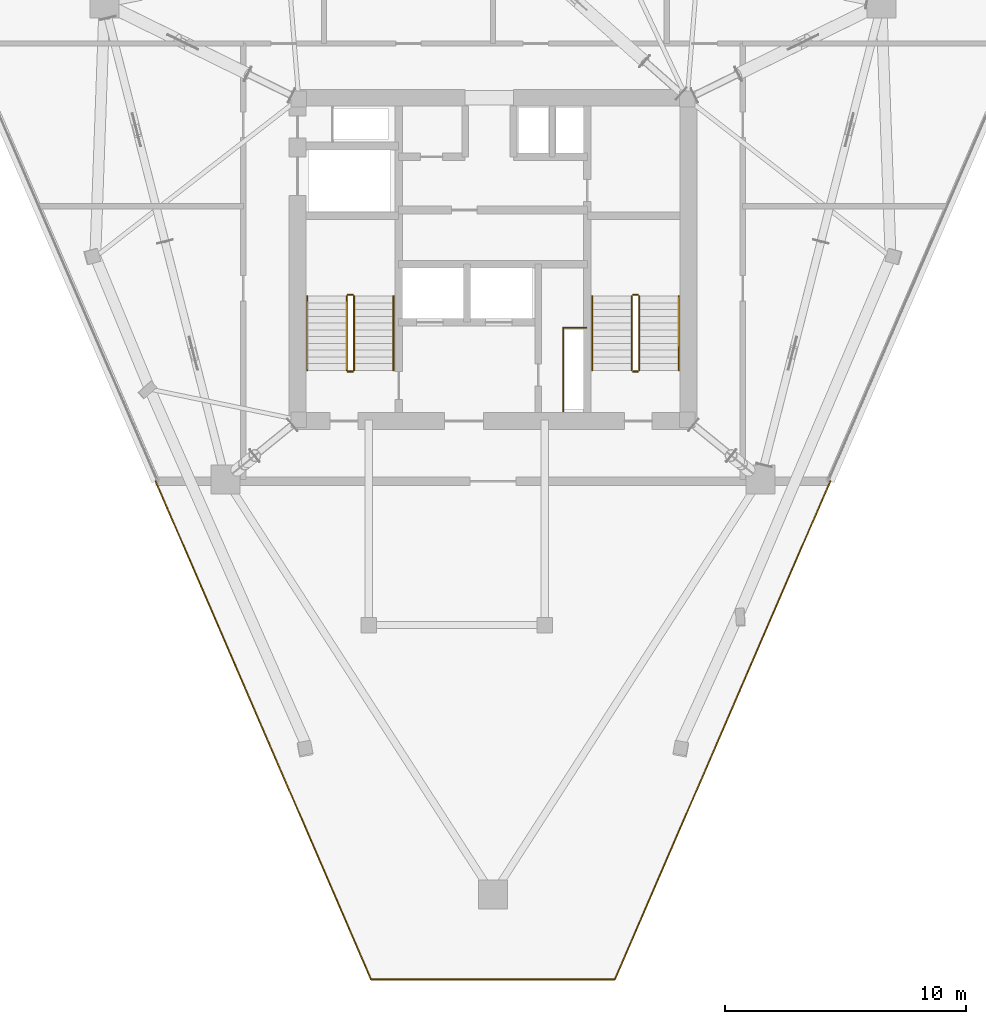
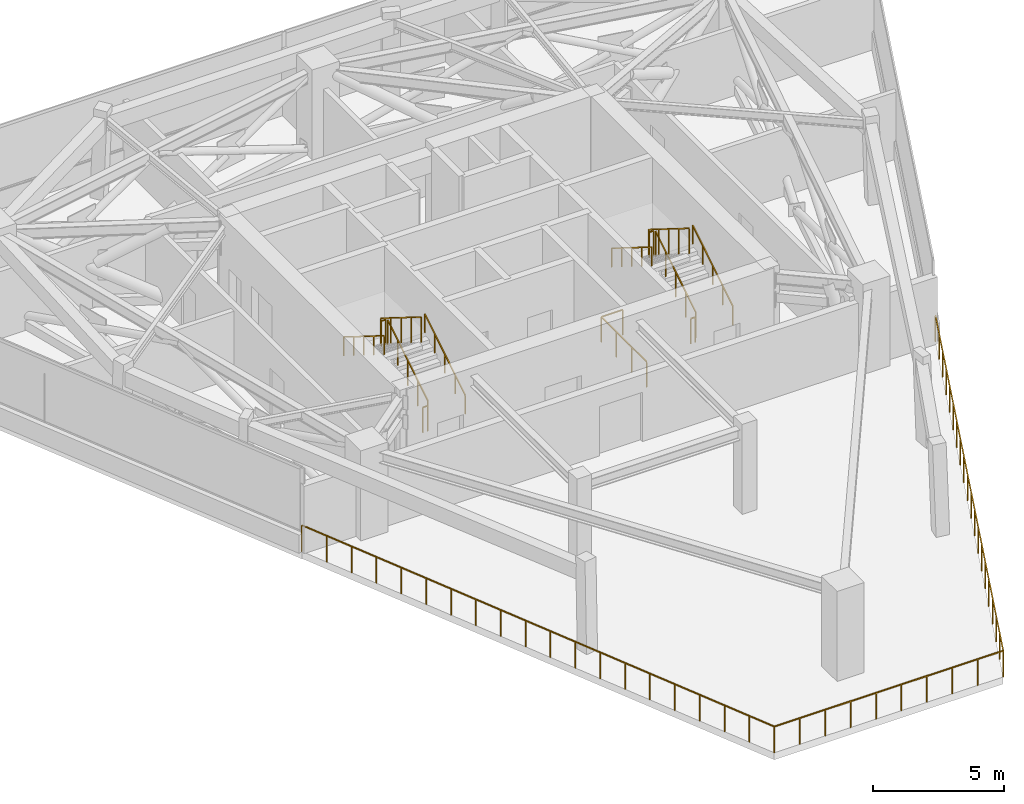
# One storey, part 9 of 10: 16 railings.
"""IFC4 building model written with IfcOpenShell, lengths in metres."""

import ifcopenshell
import ifcopenshell.guid

model = None  # the IFC model being written
_history = None  # IfcOwnerHistory: only IFC2X3 demands one
_inside = {}  # id of a spatial element -> (the spatial element, [elements in it])
_under = {}  # id of a project, library or spatial element -> (it, [spatial elements below it])
_declared = {}  # id of a project -> (the project, [libraries it declares])
_typed = {}  # id of a type object -> (the type object, [elements of that type])
_made_of = {}  # id of a material, layer set ... -> (it, [elements and type objects made of it])


def new_model(schema):
    """Start an empty IFC model of exactly this schema.

    Asked for "IFC4X3", IfcOpenShell would pick the latest addendum, in which some entities
    have other attributes; the version numbers below select the first issue.
    IFC2X3 requires an IfcOwnerHistory on every rooted entity: one is made here for all.
    """
    global model, _history
    if schema == "IFC4X3":
        model = ifcopenshell.file(schema_version=(4, 3, 0, 0))
    else:
        model = ifcopenshell.file(schema=schema)
    _inside.clear()
    _under.clear()
    _declared.clear()
    _typed.clear()
    _made_of.clear()
    _history = None
    if model.schema == "IFC2X3":
        org = make("IfcOrganization", Name="unknown")
        user = make(
            "IfcPersonAndOrganization",
            ThePerson=make("IfcPerson", FamilyName="unknown"),
            TheOrganization=org,
        )
        app = make(
            "IfcApplication",
            ApplicationDeveloper=org,
            Version="unknown",
            ApplicationFullName="unknown",
            ApplicationIdentifier="unknown",
        )
        _history = make(
            "IfcOwnerHistory",
            OwningUser=user,
            OwningApplication=app,
            ChangeAction="ADDED",
            CreationDate=0,
        )
    return model


def make(cls, **values):
    """One entity of the class cls with the attributes given. An attribute that is None is left unset."""
    return model.create_entity(
        cls, **{name: value for name, value in values.items() if value is not None}
    )


def rooted(cls, **values):
    """An entity with a GlobalId (a new one), such as an element, a storey or a relation."""
    return make(cls, GlobalId=ifcopenshell.guid.new(), OwnerHistory=_history, **values)


def si_unit(unit_type, name, prefix=None):
    """IfcSIUnit, for example si_unit("LENGTHUNIT", "METRE", prefix="MILLI")."""
    return make("IfcSIUnit", UnitType=unit_type, Prefix=prefix, Name=name)


def assignment(units):
    """IfcUnitAssignment: the units of a project."""
    return None if units is None else make("IfcUnitAssignment", Units=units)


def point(xyz):
    """IfcCartesianPoint."""
    return None if xyz is None else make("IfcCartesianPoint", Coordinates=xyz)


def direction(xyz):
    """IfcDirection."""
    return None if xyz is None else make("IfcDirection", DirectionRatios=xyz)


def frame(location, z_axis=None, x_axis=None):
    """IfcAxis2Placement3D, a coordinate frame: its origin and axes. An axis left out is left unset."""
    return make(
        "IfcAxis2Placement3D",
        Location=point(location),
        Axis=direction(z_axis),
        RefDirection=direction(x_axis),
    )


def frame_2d(location, x_axis=None):
    """IfcAxis2Placement2D, a coordinate frame in the plane: its origin and x axis."""
    return make(
        "IfcAxis2Placement2D", Location=point(location), RefDirection=direction(x_axis)
    )


def origin():
    """The frame at (0, 0, 0) with its axes left unset."""
    return frame((0.0, 0.0, 0.0))


def origin_2d():
    """The frame at (0, 0) in the plane with its x axis left unset."""
    return frame_2d((0.0, 0.0))


def place(relative_to, where):
    """IfcLocalPlacement: puts the frame where relative to a parent placement (None: the world)."""
    return make(
        "IfcLocalPlacement", PlacementRelTo=relative_to, RelativePlacement=where
    )


def context(
    kind, dimensions, precision=None, world=None, true_north=None, identifier=None
):
    """IfcGeometricRepresentationContext, for example the 3D "Model" context."""
    return make(
        "IfcGeometricRepresentationContext",
        ContextIdentifier=identifier,
        ContextType=kind,
        CoordinateSpaceDimension=dimensions,
        Precision=precision,
        WorldCoordinateSystem=world,
        TrueNorth=true_north,
    )


def subcontext(parent, identifier, kind, view, scale=None):
    """IfcGeometricRepresentationSubContext, for example "Body" below "Model"."""
    return make(
        "IfcGeometricRepresentationSubContext",
        ContextIdentifier=identifier,
        ContextType=kind,
        ParentContext=parent,
        TargetScale=scale,
        TargetView=view,
    )


def project(units=None, contexts=None):
    """IfcProject with its units and contexts."""
    return rooted(
        "IfcProject",
        Name="project",
        RepresentationContexts=contexts,
        UnitsInContext=assignment(units),
    )


def spatial(cls, under=None, at=None, **own):
    """A site, building, storey or space (cls), placed at a placement, below another one or the project."""
    s = rooted(cls, ObjectPlacement=at, **own)
    if under is not None:
        _under.setdefault(under.id(), (under, []))[1].append(s)
    return s


def profile(cls, at=None, kind="AREA", **sizes):
    """A parametric profile (cls). Its sizes go by their IFC names, for example OverallWidth=200.0."""
    return make(cls, ProfileType=kind, Position=at, **sizes)


def rectangle(**sizes):
    """IfcRectangleProfileDef."""
    return profile("IfcRectangleProfileDef", **sizes)


def extrude(swept, where, along, depth):
    """IfcExtrudedAreaSolid: the profile swept, set in the frame where, extruded along a direction by depth."""
    return make(
        "IfcExtrudedAreaSolid",
        SweptArea=swept,
        Position=where,
        ExtrudedDirection=direction(along),
        Depth=depth,
    )


def shape(context_of_items, identifier, shape_type, items):
    """IfcShapeRepresentation: the items that make up one representation, for example the "Body"."""
    return make(
        "IfcShapeRepresentation",
        ContextOfItems=context_of_items,
        RepresentationIdentifier=identifier,
        RepresentationType=shape_type,
        Items=items,
    )


def material(Name=None, Category=None):
    """IfcMaterial."""
    return make("IfcMaterial", Name=Name, Category=Category)


def made_of(thing, what):
    """Note that an element or type object is made of a material, layer set ...; save() writes the relation."""
    if what is not None:
        _made_of.setdefault(what.id(), (what, []))[1].append(thing)
    return thing


def type_object(cls, material=None, **own):
    """A type object (cls), such as IfcWallType, which elements share."""
    return made_of(rooted(cls, **own), material)


def element(
    cls,
    number,
    at=None,
    inside=None,
    cuts=None,
    type_object=None,
    material=None,
    context=None,
    identifier="Body",
    shape_type=None,
    held_by="IfcProductDefinitionShape",
    body=None,
    shapes=None,
    **own,
):
    """One element of the class cls, such as IfcWall. Its Tag is "e" and its number.

    at: its placement. inside: the storey or other place that contains it. cuts: it is an
    opening in that element (IfcRelVoidsElement). A single representation is given by context,
    identifier, shape_type and body (its items); several are given by shapes. held_by: the class
    of the entity that holds the representations. save() writes the other relations.
    """
    e = rooted(cls, Tag="e%d" % number, ObjectPlacement=at, **own)
    if body is not None:
        shapes = [shape(context, identifier, shape_type, body)]
    if shapes is not None:
        e.Representation = make(held_by, Representations=shapes)
    if inside is not None:
        _inside.setdefault(inside.id(), (inside, []))[1].append(e)
    if cuts is not None:
        rooted(
            "IfcRelVoidsElement", RelatingBuildingElement=cuts, RelatedOpeningElement=e
        )
    if type_object is not None:
        _typed.setdefault(type_object.id(), (type_object, []))[1].append(e)
    return made_of(e, material)


def aggregate(whole, parts):
    """IfcRelAggregates: a whole, such as a stair, and the parts it consists of."""
    return rooted("IfcRelAggregates", RelatingObject=whole, RelatedObjects=parts)


def save(model, path):
    """Write the relations noted so far, then the file.

    IfcRelAggregates (storeys below a building ...), IfcRelContainedInSpatialStructure (elements
    in a storey), IfcRelDefinesByType, IfcRelAssociatesMaterial and IfcRelDeclares: one each for
    every whole, place, type object, material and project.
    """
    for whole, parts in _under.values():
        aggregate(whole, parts)
    for where, things in _inside.values():
        rooted(
            "IfcRelContainedInSpatialStructure",
            RelatedElements=things,
            RelatingStructure=where,
        )
    for kind, things in _typed.values():
        rooted("IfcRelDefinesByType", RelatedObjects=things, RelatingType=kind)
    for what, things in _made_of.values():
        rooted("IfcRelAssociatesMaterial", RelatedObjects=things, RelatingMaterial=what)
    for by, libraries in _declared.values():
        rooted("IfcRelDeclares", RelatingContext=by, RelatedDefinitions=libraries)
    model.write(path)


model = new_model("IFC4")

# Units and contexts
model_context = context("Model", 3, precision=1e-05, world=origin(), true_north=direction((0.0, 1.0)))
body_context = subcontext(model_context, "Body", "Model", "MODEL_VIEW")
ifc_project = project(units=[si_unit("LENGTHUNIT", "METRE"), si_unit("AREAUNIT", "SQUARE_METRE"), si_unit("VOLUMEUNIT", "CUBIC_METRE"), si_unit("PLANEANGLEUNIT", "RADIAN"), si_unit("MASSUNIT", "GRAM", prefix="KILO")], contexts=[model_context])

# Site, building, storey
site_placement = place(None, origin())
site = spatial("IfcSite", under=ifc_project, at=site_placement, CompositionType="ELEMENT")
building_placement = place(site_placement, origin())
building = spatial("IfcBuilding", under=site, at=building_placement, Name="Talyreon Biosciences Tower", CompositionType="ELEMENT")
storey_placement = place(building_placement, frame((0.0, 0.0, 275.39990234375)))
storey = spatial("IfcBuildingStorey", under=building, at=storey_placement, Name="L73", CompositionType="ELEMENT", Elevation=275.39990234375)

# Railings
ifc_material_1 = material(Name="Stainless-steel and laminated glass balustrade", Category="steel")
railing_type_1 = type_object("IfcRailingType", Name="SkyGardenGlassBalustrade_1250", PredefinedType="GUARDRAIL", material=ifc_material_1)
railing_1_placement = place(storey_placement, frame((79.98095703125, 58.800048828125, 0.0)))
element("IfcRailing", 1, at=railing_1_placement, inside=storey, type_object=railing_type_1, Name="L73 Terrace Edge Balustrade 01", PredefinedType="GUARDRAIL", context=body_context, shape_type="SweptSolid", body=[
    extrude(rectangle(XDim=0.048095703125, YDim=0.048095703125, at=origin_2d()), frame((0.0, 0.0, 1.22607421875), z_axis=(-0.396882977166, -0.917869218591, 0.0), x_axis=(0.917869218591, -0.396882977166, 0.0)), (0.0, 0.0, 1.0), 22.493408203125),
    extrude(rectangle(XDim=0.0419921875, YDim=0.0419921875, at=origin_2d()), origin(), (0.0, 0.0, 1.0), 1.201904296875),
    extrude(rectangle(XDim=0.0419921875, YDim=0.0419921875, at=origin_2d()), frame((-0.469970703125, -1.086669921875, 0.0)), (0.0, 0.0, 1.0), 1.201904296875),
    extrude(rectangle(XDim=0.0419921875, YDim=0.0419921875, at=origin_2d()), frame((-0.939697265625, -2.17333984375, 0.0)), (0.0, 0.0, 1.0), 1.201904296875),
    extrude(rectangle(XDim=0.0419921875, YDim=0.0419921875, at=origin_2d()), frame((-1.40966796875, -3.260009765625, 0.0)), (0.0, 0.0, 1.0), 1.201904296875),
    extrude(rectangle(XDim=0.0419921875, YDim=0.0419921875, at=origin_2d()), frame((-1.87939453125, -4.346435546875, 0.0)), (0.0, 0.0, 1.0), 1.201904296875),
    extrude(rectangle(XDim=0.0419921875, YDim=0.0419921875, at=origin_2d()), frame((-2.349365234375, -5.43310546875, 0.0)), (0.0, 0.0, 1.0), 1.201904296875),
    extrude(rectangle(XDim=0.0419921875, YDim=0.0419921875, at=origin_2d()), frame((-2.819091796875, -6.519775390625, 0.0)), (0.0, 0.0, 1.0), 1.201904296875),
    extrude(rectangle(XDim=0.0419921875, YDim=0.0419921875, at=origin_2d()), frame((-3.2890625, -7.6064453125, 0.0)), (0.0, 0.0, 1.0), 1.201904296875),
    extrude(rectangle(XDim=0.0419921875, YDim=0.0419921875, at=origin_2d()), frame((-3.7587890625, -8.693115234375, 0.0)), (0.0, 0.0, 1.0), 1.201904296875),
    extrude(rectangle(XDim=0.0419921875, YDim=0.0419921875, at=origin_2d()), frame((-4.228759765625, -9.77978515625, 0.0)), (0.0, 0.0, 1.0), 1.201904296875),
    extrude(rectangle(XDim=0.0419921875, YDim=0.0419921875, at=origin_2d()), frame((-4.698486328125, -10.8662109375, 0.0)), (0.0, 0.0, 1.0), 1.201904296875),
    extrude(rectangle(XDim=0.0419921875, YDim=0.0419921875, at=origin_2d()), frame((-5.16845703125, -11.952880859375, 0.0)), (0.0, 0.0, 1.0), 1.201904296875),
    extrude(rectangle(XDim=0.0419921875, YDim=0.0419921875, at=origin_2d()), frame((-5.63818359375, -13.03955078125, 0.0)), (0.0, 0.0, 1.0), 1.201904296875),
    extrude(rectangle(XDim=0.0419921875, YDim=0.0419921875, at=origin_2d()), frame((-6.108154296875, -14.126220703125, 0.0)), (0.0, 0.0, 1.0), 1.201904296875),
    extrude(rectangle(XDim=0.0419921875, YDim=0.0419921875, at=origin_2d()), frame((-6.577880859375, -15.212890625, 0.0)), (0.0, 0.0, 1.0), 1.201904296875),
    extrude(rectangle(XDim=0.0419921875, YDim=0.0419921875, at=origin_2d()), frame((-7.0478515625, -16.299560546875, 0.0)), (0.0, 0.0, 1.0), 1.201904296875),
    extrude(rectangle(XDim=0.0419921875, YDim=0.0419921875, at=origin_2d()), frame((-7.517578125, -17.385986328125, 0.0)), (0.0, 0.0, 1.0), 1.201904296875),
    extrude(rectangle(XDim=0.0419921875, YDim=0.0419921875, at=origin_2d()), frame((-7.987548828125, -18.47265625, 0.0)), (0.0, 0.0, 1.0), 1.201904296875),
    extrude(rectangle(XDim=0.0419921875, YDim=0.0419921875, at=origin_2d()), frame((-8.457275390625, -19.559326171875, 0.0)), (0.0, 0.0, 1.0), 1.201904296875),
    extrude(rectangle(XDim=0.0419921875, YDim=0.0419921875, at=origin_2d()), frame((-8.92724609375, -20.64599609375, 0.0)), (0.0, 0.0, 1.0), 1.201904296875),
])
railing_2_placement = place(storey_placement, frame((71.0537109375, 38.154052734375, 0.0)))
element("IfcRailing", 2, at=railing_2_placement, inside=storey, type_object=railing_type_1, Name="L73 Terrace Edge Balustrade 02", PredefinedType="GUARDRAIL", context=body_context, shape_type="SweptSolid", body=[
    extrude(rectangle(XDim=0.048095703125, YDim=0.048095703125, at=origin_2d()), frame((0.0, 0.0, 1.22607421875), z_axis=(-1.0, 0.0, 0.0), x_axis=(0.0, -1.0, 0.0)), (0.0, 0.0, 1.0), 10.107421875),
    extrude(rectangle(XDim=0.0419921875, YDim=0.0419921875, at=origin_2d()), origin(), (0.0, 0.0, 1.0), 1.201904296875),
    extrude(rectangle(XDim=0.0419921875, YDim=0.0419921875, at=origin_2d()), frame((-1.123046875, 0.0, 0.0)), (0.0, 0.0, 1.0), 1.201904296875),
    extrude(rectangle(XDim=0.0419921875, YDim=0.0419921875, at=origin_2d()), frame((-2.24609375, 0.0, 0.0)), (0.0, 0.0, 1.0), 1.201904296875),
    extrude(rectangle(XDim=0.0419921875, YDim=0.0419921875, at=origin_2d()), frame((-3.369140625, 0.0, 0.0)), (0.0, 0.0, 1.0), 1.201904296875),
    extrude(rectangle(XDim=0.0419921875, YDim=0.0419921875, at=origin_2d()), frame((-4.4921875, 0.0, 0.0)), (0.0, 0.0, 1.0), 1.201904296875),
    extrude(rectangle(XDim=0.0419921875, YDim=0.0419921875, at=origin_2d()), frame((-5.615234375, 0.0, 0.0)), (0.0, 0.0, 1.0), 1.201904296875),
    extrude(rectangle(XDim=0.0419921875, YDim=0.0419921875, at=origin_2d()), frame((-6.73828125, 0.0, 0.0)), (0.0, 0.0, 1.0), 1.201904296875),
    extrude(rectangle(XDim=0.0419921875, YDim=0.0419921875, at=origin_2d()), frame((-7.861328125, 0.0, 0.0)), (0.0, 0.0, 1.0), 1.201904296875),
    extrude(rectangle(XDim=0.0419921875, YDim=0.0419921875, at=origin_2d()), frame((-8.984375, 0.0, 0.0)), (0.0, 0.0, 1.0), 1.201904296875),
    extrude(rectangle(XDim=0.0419921875, YDim=0.0419921875, at=origin_2d()), frame((-10.107421875, 0.0, 0.0)), (0.0, 0.0, 1.0), 1.201904296875),
])
railing_3_placement = place(storey_placement, frame((60.9462890625, 38.154052734375, 0.0)))
element("IfcRailing", 3, at=railing_3_placement, inside=storey, type_object=railing_type_1, Name="L73 Terrace Edge Balustrade 03", PredefinedType="GUARDRAIL", context=body_context, shape_type="SweptSolid", body=[
    extrude(rectangle(XDim=0.048095703125, YDim=0.048095703125, at=origin_2d()), frame((0.0, 0.0, 1.22607421875), z_axis=(-0.396882977166, 0.917869218591, 0.0), x_axis=(-0.917869218591, -0.396882977166, 0.0)), (0.0, 0.0, 1.0), 22.493408203125),
    extrude(rectangle(XDim=0.0419921875, YDim=0.0419921875, at=origin_2d()), origin(), (0.0, 0.0, 1.0), 1.201904296875),
    extrude(rectangle(XDim=0.0419921875, YDim=0.0419921875, at=origin_2d()), frame((-0.469970703125, 1.086669921875, 0.0)), (0.0, 0.0, 1.0), 1.201904296875),
    extrude(rectangle(XDim=0.0419921875, YDim=0.0419921875, at=origin_2d()), frame((-0.939697265625, 2.17333984375, 0.0)), (0.0, 0.0, 1.0), 1.201904296875),
    extrude(rectangle(XDim=0.0419921875, YDim=0.0419921875, at=origin_2d()), frame((-1.40966796875, 3.260009765625, 0.0)), (0.0, 0.0, 1.0), 1.201904296875),
    extrude(rectangle(XDim=0.0419921875, YDim=0.0419921875, at=origin_2d()), frame((-1.87939453125, 4.346435546875, 0.0)), (0.0, 0.0, 1.0), 1.201904296875),
    extrude(rectangle(XDim=0.0419921875, YDim=0.0419921875, at=origin_2d()), frame((-2.349365234375, 5.43310546875, 0.0)), (0.0, 0.0, 1.0), 1.201904296875),
    extrude(rectangle(XDim=0.0419921875, YDim=0.0419921875, at=origin_2d()), frame((-2.819091796875, 6.519775390625, 0.0)), (0.0, 0.0, 1.0), 1.201904296875),
    extrude(rectangle(XDim=0.0419921875, YDim=0.0419921875, at=origin_2d()), frame((-3.2890625, 7.6064453125, 0.0)), (0.0, 0.0, 1.0), 1.201904296875),
    extrude(rectangle(XDim=0.0419921875, YDim=0.0419921875, at=origin_2d()), frame((-3.7587890625, 8.693115234375, 0.0)), (0.0, 0.0, 1.0), 1.201904296875),
    extrude(rectangle(XDim=0.0419921875, YDim=0.0419921875, at=origin_2d()), frame((-4.228759765625, 9.77978515625, 0.0)), (0.0, 0.0, 1.0), 1.201904296875),
    extrude(rectangle(XDim=0.0419921875, YDim=0.0419921875, at=origin_2d()), frame((-4.698486328125, 10.8662109375, 0.0)), (0.0, 0.0, 1.0), 1.201904296875),
    extrude(rectangle(XDim=0.0419921875, YDim=0.0419921875, at=origin_2d()), frame((-5.16845703125, 11.952880859375, 0.0)), (0.0, 0.0, 1.0), 1.201904296875),
    extrude(rectangle(XDim=0.0419921875, YDim=0.0419921875, at=origin_2d()), frame((-5.63818359375, 13.03955078125, 0.0)), (0.0, 0.0, 1.0), 1.201904296875),
    extrude(rectangle(XDim=0.0419921875, YDim=0.0419921875, at=origin_2d()), frame((-6.108154296875, 14.126220703125, 0.0)), (0.0, 0.0, 1.0), 1.201904296875),
    extrude(rectangle(XDim=0.0419921875, YDim=0.0419921875, at=origin_2d()), frame((-6.577880859375, 15.212890625, 0.0)), (0.0, 0.0, 1.0), 1.201904296875),
    extrude(rectangle(XDim=0.0419921875, YDim=0.0419921875, at=origin_2d()), frame((-7.0478515625, 16.299560546875, 0.0)), (0.0, 0.0, 1.0), 1.201904296875),
    extrude(rectangle(XDim=0.0419921875, YDim=0.0419921875, at=origin_2d()), frame((-7.517578125, 17.385986328125, 0.0)), (0.0, 0.0, 1.0), 1.201904296875),
    extrude(rectangle(XDim=0.0419921875, YDim=0.0419921875, at=origin_2d()), frame((-7.987548828125, 18.47265625, 0.0)), (0.0, 0.0, 1.0), 1.201904296875),
    extrude(rectangle(XDim=0.0419921875, YDim=0.0419921875, at=origin_2d()), frame((-8.457275390625, 19.559326171875, 0.0)), (0.0, 0.0, 1.0), 1.201904296875),
    extrude(rectangle(XDim=0.0419921875, YDim=0.0419921875, at=origin_2d()), frame((-8.92724609375, 20.64599609375, 0.0)), (0.0, 0.0, 1.0), 1.201904296875),
])
ifc_material_2 = material(Name="Brushed stainless-steel tubular handrail", Category="steel")
railing_type_2 = type_object("IfcRailingType", Name="StairWallHandrail_900", PredefinedType="HANDRAIL", material=ifc_material_2)
railing_4_placement = place(storey_placement, frame((61.8798828125, 63.39990234375, 0.175048828125)))
element("IfcRailing", 4, at=railing_4_placement, inside=storey, type_object=railing_type_2, Name="L73 ST-1 stair handrail 1", PredefinedType="HANDRAIL", context=body_context, shape_type="SweptSolid", body=[
    extrude(rectangle(XDim=0.048095703125, YDim=0.048095703125, at=origin_2d()), frame((0.0, 0.0, 0.8759765625), z_axis=(0.0, 0.847998304005, 0.529998940003), x_axis=(-1.0, 0.0, 0.0)), (0.0, 0.0, 1.0), 3.632080078125),
    extrude(rectangle(XDim=0.0419921875, YDim=0.0419921875, at=origin_2d()), origin(), (0.0, 0.0, 1.0), 0.851806640625),
    extrude(rectangle(XDim=0.0419921875, YDim=0.0419921875, at=origin_2d()), frame((0.0, 0.77001953125, 0.481201171875)), (0.0, 0.0, 1.0), 0.851806640625),
    extrude(rectangle(XDim=0.0419921875, YDim=0.0419921875, at=origin_2d()), frame((0.0, 1.5400390625, 0.96240234375)), (0.0, 0.0, 1.0), 0.851806640625),
    extrude(rectangle(XDim=0.0419921875, YDim=0.0419921875, at=origin_2d()), frame((0.0, 2.31005859375, 1.44384765625)), (0.0, 0.0, 1.0), 0.851806640625),
    extrude(rectangle(XDim=0.0419921875, YDim=0.0419921875, at=origin_2d()), frame((0.0, 3.080078125, 1.925048828125)), (0.0, 0.0, 1.0), 0.851806640625),
])
railing_5_placement = place(storey_placement, frame((58.300048828125, 66.47998046875, 2.275146484375)))
element("IfcRailing", 5, at=railing_5_placement, inside=storey, type_object=railing_type_2, Name="L73 ST-1 stair handrail 2", PredefinedType="HANDRAIL", context=body_context, shape_type="SweptSolid", body=[
    extrude(rectangle(XDim=0.048095703125, YDim=0.048095703125, at=origin_2d()), frame((0.0, 0.0, 0.8759765625), z_axis=(0.0, -0.847998304005, 0.529998940003), x_axis=(1.0, 0.0, 0.0)), (0.0, 0.0, 1.0), 3.632080078125),
    extrude(rectangle(XDim=0.0419921875, YDim=0.0419921875, at=origin_2d()), origin(), (0.0, 0.0, 1.0), 0.851806640625),
    extrude(rectangle(XDim=0.0419921875, YDim=0.0419921875, at=origin_2d()), frame((0.0, -0.77001953125, 0.481201171875)), (0.0, 0.0, 1.0), 0.851806640625),
    extrude(rectangle(XDim=0.0419921875, YDim=0.0419921875, at=origin_2d()), frame((0.0, -1.5400390625, 0.96240234375)), (0.0, 0.0, 1.0), 0.851806640625),
    extrude(rectangle(XDim=0.0419921875, YDim=0.0419921875, at=origin_2d()), frame((0.0, -2.31005859375, 1.44384765625)), (0.0, 0.0, 1.0), 0.851806640625),
    extrude(rectangle(XDim=0.0419921875, YDim=0.0419921875, at=origin_2d()), frame((0.0, -3.080078125, 1.925048828125)), (0.0, 0.0, 1.0), 0.851806640625),
])
railing_6_placement = place(storey_placement, frame((73.699951171875, 63.39990234375, 0.175048828125)))
element("IfcRailing", 6, at=railing_6_placement, inside=storey, type_object=railing_type_2, Name="L73 ST-2 stair handrail 1", PredefinedType="HANDRAIL", context=body_context, shape_type="SweptSolid", body=[
    extrude(rectangle(XDim=0.048095703125, YDim=0.048095703125, at=origin_2d()), frame((0.0, 0.0, 0.8759765625), z_axis=(0.0, 0.847998304005, 0.529998940003), x_axis=(-1.0, 0.0, 0.0)), (0.0, 0.0, 1.0), 3.632080078125),
    extrude(rectangle(XDim=0.0419921875, YDim=0.0419921875, at=origin_2d()), origin(), (0.0, 0.0, 1.0), 0.851806640625),
    extrude(rectangle(XDim=0.0419921875, YDim=0.0419921875, at=origin_2d()), frame((0.0, 0.77001953125, 0.481201171875)), (0.0, 0.0, 1.0), 0.851806640625),
    extrude(rectangle(XDim=0.0419921875, YDim=0.0419921875, at=origin_2d()), frame((0.0, 1.5400390625, 0.96240234375)), (0.0, 0.0, 1.0), 0.851806640625),
    extrude(rectangle(XDim=0.0419921875, YDim=0.0419921875, at=origin_2d()), frame((0.0, 2.31005859375, 1.44384765625)), (0.0, 0.0, 1.0), 0.851806640625),
    extrude(rectangle(XDim=0.0419921875, YDim=0.0419921875, at=origin_2d()), frame((0.0, 3.080078125, 1.925048828125)), (0.0, 0.0, 1.0), 0.851806640625),
])
railing_7_placement = place(storey_placement, frame((70.1201171875, 66.47998046875, 2.275146484375)))
element("IfcRailing", 7, at=railing_7_placement, inside=storey, type_object=railing_type_2, Name="L73 ST-2 stair handrail 2", PredefinedType="HANDRAIL", context=body_context, shape_type="SweptSolid", body=[
    extrude(rectangle(XDim=0.048095703125, YDim=0.048095703125, at=origin_2d()), frame((0.0, 0.0, 0.8759765625), z_axis=(0.0, -0.847998304005, 0.529998940003), x_axis=(1.0, 0.0, 0.0)), (0.0, 0.0, 1.0), 3.632080078125),
    extrude(rectangle(XDim=0.0419921875, YDim=0.0419921875, at=origin_2d()), origin(), (0.0, 0.0, 1.0), 0.851806640625),
    extrude(rectangle(XDim=0.0419921875, YDim=0.0419921875, at=origin_2d()), frame((0.0, -0.77001953125, 0.481201171875)), (0.0, 0.0, 1.0), 0.851806640625),
    extrude(rectangle(XDim=0.0419921875, YDim=0.0419921875, at=origin_2d()), frame((0.0, -1.5400390625, 0.96240234375)), (0.0, 0.0, 1.0), 0.851806640625),
    extrude(rectangle(XDim=0.0419921875, YDim=0.0419921875, at=origin_2d()), frame((0.0, -2.31005859375, 1.44384765625)), (0.0, 0.0, 1.0), 0.851806640625),
    extrude(rectangle(XDim=0.0419921875, YDim=0.0419921875, at=origin_2d()), frame((0.0, -3.080078125, 1.925048828125)), (0.0, 0.0, 1.0), 0.851806640625),
])
ifc_material_3 = material(Name="Painted galvanised steel post-and-rail balustrade", Category="steel")
railing_type_3 = type_object("IfcRailingType", Name="TerraceStairGuard_1200", PredefinedType="GUARDRAIL", material=ifc_material_3)
railing_8_placement = place(storey_placement, frame((60.239990234375, 63.39990234375, 0.175048828125)))
element("IfcRailing", 8, at=railing_8_placement, inside=storey, type_object=railing_type_3, Name="L73 ST-1 stair guard 1", PredefinedType="GUARDRAIL", context=body_context, shape_type="SweptSolid", body=[
    extrude(rectangle(XDim=0.048095703125, YDim=0.048095703125, at=origin_2d()), frame((0.0, 0.0, 1.17578125), z_axis=(0.0, 0.847998304005, 0.529998940003), x_axis=(-1.0, 0.0, 0.0)), (0.0, 0.0, 1.0), 3.632080078125),
    extrude(rectangle(XDim=0.0419921875, YDim=0.0419921875, at=origin_2d()), origin(), (0.0, 0.0, 1.0), 1.15185546875),
    extrude(rectangle(XDim=0.0419921875, YDim=0.0419921875, at=origin_2d()), frame((0.0, 0.77001953125, 0.481201171875)), (0.0, 0.0, 1.0), 1.15185546875),
    extrude(rectangle(XDim=0.0419921875, YDim=0.0419921875, at=origin_2d()), frame((0.0, 1.5400390625, 0.96240234375)), (0.0, 0.0, 1.0), 1.15185546875),
    extrude(rectangle(XDim=0.0419921875, YDim=0.0419921875, at=origin_2d()), frame((0.0, 2.31005859375, 1.44384765625)), (0.0, 0.0, 1.0), 1.15185546875),
    extrude(rectangle(XDim=0.0419921875, YDim=0.0419921875, at=origin_2d()), frame((0.0, 3.080078125, 1.925048828125)), (0.0, 0.0, 1.0), 1.15185546875),
])
railing_9_placement = place(storey_placement, frame((60.18994140625, 66.530029296875, 2.10009765625)))
element("IfcRailing", 9, at=railing_9_placement, inside=storey, type_object=railing_type_3, Name="L73 ST-1 stair guard 2", PredefinedType="GUARDRAIL", context=body_context, shape_type="SweptSolid", body=[
    extrude(rectangle(XDim=0.048095703125, YDim=0.048095703125, at=origin_2d()), frame((0.0, 0.0, 1.17578125), z_axis=(-1.0, 0.0, 0.0), x_axis=(0.0, -1.0, 0.0)), (0.0, 0.0, 1.0), 0.199951171875),
    extrude(rectangle(XDim=0.0419921875, YDim=0.0419921875, at=origin_2d()), origin(), (0.0, 0.0, 1.0), 1.15185546875),
    extrude(rectangle(XDim=0.0419921875, YDim=0.0419921875, at=origin_2d()), frame((-0.199951171875, 0.0, 0.0)), (0.0, 0.0, 1.0), 1.15185546875),
])
railing_10_placement = place(storey_placement, frame((59.93994140625, 66.47998046875, 2.275146484375)))
element("IfcRailing", 10, at=railing_10_placement, inside=storey, type_object=railing_type_3, Name="L73 ST-1 stair guard 3", PredefinedType="GUARDRAIL", context=body_context, shape_type="SweptSolid", body=[
    extrude(rectangle(XDim=0.048095703125, YDim=0.048095703125, at=origin_2d()), frame((0.0, 0.0, 1.17578125), z_axis=(0.0, -0.847998304005, 0.529998940003), x_axis=(1.0, 0.0, 0.0)), (0.0, 0.0, 1.0), 3.632080078125),
    extrude(rectangle(XDim=0.0419921875, YDim=0.0419921875, at=origin_2d()), origin(), (0.0, 0.0, 1.0), 1.15185546875),
    extrude(rectangle(XDim=0.0419921875, YDim=0.0419921875, at=origin_2d()), frame((0.0, -0.77001953125, 0.481201171875)), (0.0, 0.0, 1.0), 1.15185546875),
    extrude(rectangle(XDim=0.0419921875, YDim=0.0419921875, at=origin_2d()), frame((0.0, -1.5400390625, 0.96240234375)), (0.0, 0.0, 1.0), 1.15185546875),
    extrude(rectangle(XDim=0.0419921875, YDim=0.0419921875, at=origin_2d()), frame((0.0, -2.31005859375, 1.44384765625)), (0.0, 0.0, 1.0), 1.15185546875),
    extrude(rectangle(XDim=0.0419921875, YDim=0.0419921875, at=origin_2d()), frame((0.0, -3.080078125, 1.925048828125)), (0.0, 0.0, 1.0), 1.15185546875),
])
railing_11_placement = place(storey_placement, frame((60.18994140625, 63.35009765625, 0.0)))
element("IfcRailing", 11, at=railing_11_placement, inside=storey, type_object=railing_type_3, Name="L73 ST-1 stair guard 4", PredefinedType="GUARDRAIL", context=body_context, shape_type="SweptSolid", body=[
    extrude(rectangle(XDim=0.048095703125, YDim=0.048095703125, at=origin_2d()), frame((0.0, 0.0, 1.17578125), z_axis=(-1.0, 0.0, 0.0), x_axis=(0.0, -1.0, 0.0)), (0.0, 0.0, 1.0), 0.199951171875),
    extrude(rectangle(XDim=0.0419921875, YDim=0.0419921875, at=origin_2d()), origin(), (0.0, 0.0, 1.0), 1.15185546875),
    extrude(rectangle(XDim=0.0419921875, YDim=0.0419921875, at=origin_2d()), frame((-0.199951171875, 0.0, 0.0)), (0.0, 0.0, 1.0), 1.15185546875),
])
railing_12_placement = place(storey_placement, frame((72.06005859375, 63.39990234375, 0.175048828125)))
element("IfcRailing", 12, at=railing_12_placement, inside=storey, type_object=railing_type_3, Name="L73 ST-2 stair guard 1", PredefinedType="GUARDRAIL", context=body_context, shape_type="SweptSolid", body=[
    extrude(rectangle(XDim=0.048095703125, YDim=0.048095703125, at=origin_2d()), frame((0.0, 0.0, 1.17578125), z_axis=(0.0, 0.847998304005, 0.529998940003), x_axis=(-1.0, 0.0, 0.0)), (0.0, 0.0, 1.0), 3.632080078125),
    extrude(rectangle(XDim=0.0419921875, YDim=0.0419921875, at=origin_2d()), origin(), (0.0, 0.0, 1.0), 1.15185546875),
    extrude(rectangle(XDim=0.0419921875, YDim=0.0419921875, at=origin_2d()), frame((0.0, 0.77001953125, 0.481201171875)), (0.0, 0.0, 1.0), 1.15185546875),
    extrude(rectangle(XDim=0.0419921875, YDim=0.0419921875, at=origin_2d()), frame((0.0, 1.5400390625, 0.96240234375)), (0.0, 0.0, 1.0), 1.15185546875),
    extrude(rectangle(XDim=0.0419921875, YDim=0.0419921875, at=origin_2d()), frame((0.0, 2.31005859375, 1.44384765625)), (0.0, 0.0, 1.0), 1.15185546875),
    extrude(rectangle(XDim=0.0419921875, YDim=0.0419921875, at=origin_2d()), frame((0.0, 3.080078125, 1.925048828125)), (0.0, 0.0, 1.0), 1.15185546875),
])
railing_13_placement = place(storey_placement, frame((72.010009765625, 66.530029296875, 2.10009765625)))
element("IfcRailing", 13, at=railing_13_placement, inside=storey, type_object=railing_type_3, Name="L73 ST-2 stair guard 2", PredefinedType="GUARDRAIL", context=body_context, shape_type="SweptSolid", body=[
    extrude(rectangle(XDim=0.048095703125, YDim=0.048095703125, at=origin_2d()), frame((0.0, 0.0, 1.17578125), z_axis=(-1.0, 0.0, 0.0), x_axis=(0.0, -1.0, 0.0)), (0.0, 0.0, 1.0), 0.199951171875),
    extrude(rectangle(XDim=0.0419921875, YDim=0.0419921875, at=origin_2d()), origin(), (0.0, 0.0, 1.0), 1.15185546875),
    extrude(rectangle(XDim=0.0419921875, YDim=0.0419921875, at=origin_2d()), frame((-0.199951171875, 0.0, 0.0)), (0.0, 0.0, 1.0), 1.15185546875),
])
railing_14_placement = place(storey_placement, frame((71.760009765625, 66.47998046875, 2.275146484375)))
element("IfcRailing", 14, at=railing_14_placement, inside=storey, type_object=railing_type_3, Name="L73 ST-2 stair guard 3", PredefinedType="GUARDRAIL", context=body_context, shape_type="SweptSolid", body=[
    extrude(rectangle(XDim=0.048095703125, YDim=0.048095703125, at=origin_2d()), frame((0.0, 0.0, 1.17578125), z_axis=(0.0, -0.847998304005, 0.529998940003), x_axis=(1.0, 0.0, 0.0)), (0.0, 0.0, 1.0), 3.632080078125),
    extrude(rectangle(XDim=0.0419921875, YDim=0.0419921875, at=origin_2d()), origin(), (0.0, 0.0, 1.0), 1.15185546875),
    extrude(rectangle(XDim=0.0419921875, YDim=0.0419921875, at=origin_2d()), frame((0.0, -0.77001953125, 0.481201171875)), (0.0, 0.0, 1.0), 1.15185546875),
    extrude(rectangle(XDim=0.0419921875, YDim=0.0419921875, at=origin_2d()), frame((0.0, -1.5400390625, 0.96240234375)), (0.0, 0.0, 1.0), 1.15185546875),
    extrude(rectangle(XDim=0.0419921875, YDim=0.0419921875, at=origin_2d()), frame((0.0, -2.31005859375, 1.44384765625)), (0.0, 0.0, 1.0), 1.15185546875),
    extrude(rectangle(XDim=0.0419921875, YDim=0.0419921875, at=origin_2d()), frame((0.0, -3.080078125, 1.925048828125)), (0.0, 0.0, 1.0), 1.15185546875),
])
railing_15_placement = place(storey_placement, frame((72.010009765625, 63.35009765625, 0.0)))
element("IfcRailing", 15, at=railing_15_placement, inside=storey, type_object=railing_type_3, Name="L73 ST-2 stair guard 4", PredefinedType="GUARDRAIL", context=body_context, shape_type="SweptSolid", body=[
    extrude(rectangle(XDim=0.048095703125, YDim=0.048095703125, at=origin_2d()), frame((0.0, 0.0, 1.17578125), z_axis=(-1.0, 0.0, 0.0), x_axis=(0.0, -1.0, 0.0)), (0.0, 0.0, 1.0), 0.199951171875),
    extrude(rectangle(XDim=0.0419921875, YDim=0.0419921875, at=origin_2d()), origin(), (0.0, 0.0, 1.0), 1.15185546875),
    extrude(rectangle(XDim=0.0419921875, YDim=0.0419921875, at=origin_2d()), frame((-0.199951171875, 0.0, 0.0)), (0.0, 0.0, 1.0), 1.15185546875),
])
railing_16_placement = place(storey_placement, frame((68.909912109375, 61.699951171875, 0.0)))
element("IfcRailing", 16, at=railing_16_placement, inside=storey, type_object=railing_type_3, Name="L73 Electrical Riser Maintenance Guardrail", PredefinedType="GUARDRAIL", context=body_context, shape_type="SweptSolid", body=[
    extrude(rectangle(XDim=0.048095703125, YDim=0.048095703125, at=origin_2d()), frame((0.0, 0.0, 1.17578125), z_axis=(0.0, 1.0, 0.0), x_axis=(-1.0, 0.0, 0.0)), (0.0, 0.0, 1.0), 3.4599609375),
    extrude(rectangle(XDim=0.048095703125, YDim=0.048095703125, at=origin_2d()), frame((0.0, 3.4599609375, 1.17578125), z_axis=(1.0, 0.0, 0.0), x_axis=(0.0, 1.0, 0.0)), (0.0, 0.0, 1.0), 0.9501953125),
    extrude(rectangle(XDim=0.0419921875, YDim=0.0419921875, at=origin_2d()), origin(), (0.0, 0.0, 1.0), 1.15185546875),
    extrude(rectangle(XDim=0.0419921875, YDim=0.0419921875, at=origin_2d()), frame((0.0, 1.1533203125, 0.0)), (0.0, 0.0, 1.0), 1.15185546875),
    extrude(rectangle(XDim=0.0419921875, YDim=0.0419921875, at=origin_2d()), frame((0.0, 2.306640625, 0.0)), (0.0, 0.0, 1.0), 1.15185546875),
    extrude(rectangle(XDim=0.0419921875, YDim=0.0419921875, at=origin_2d()), frame((0.0, 3.4599609375, 0.0)), (0.0, 0.0, 1.0), 1.15185546875),
    extrude(rectangle(XDim=0.0419921875, YDim=0.0419921875, at=origin_2d()), frame((0.9501953125, 3.4599609375, 0.0)), (0.0, 0.0, 1.0), 1.15185546875),
])

save(model, "model.ifc")
